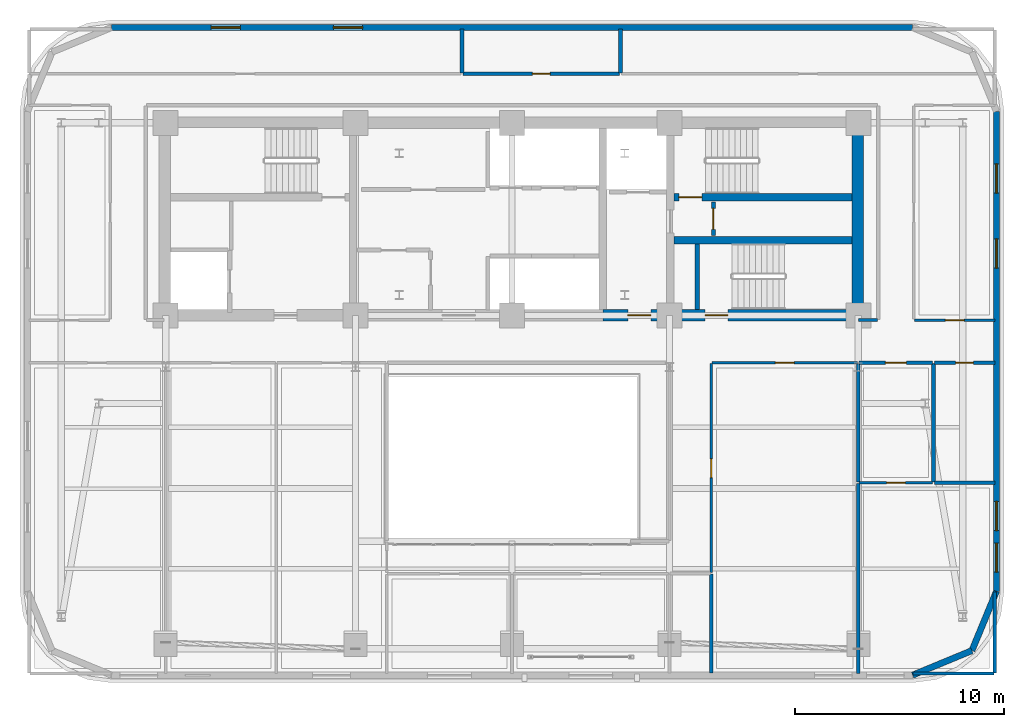
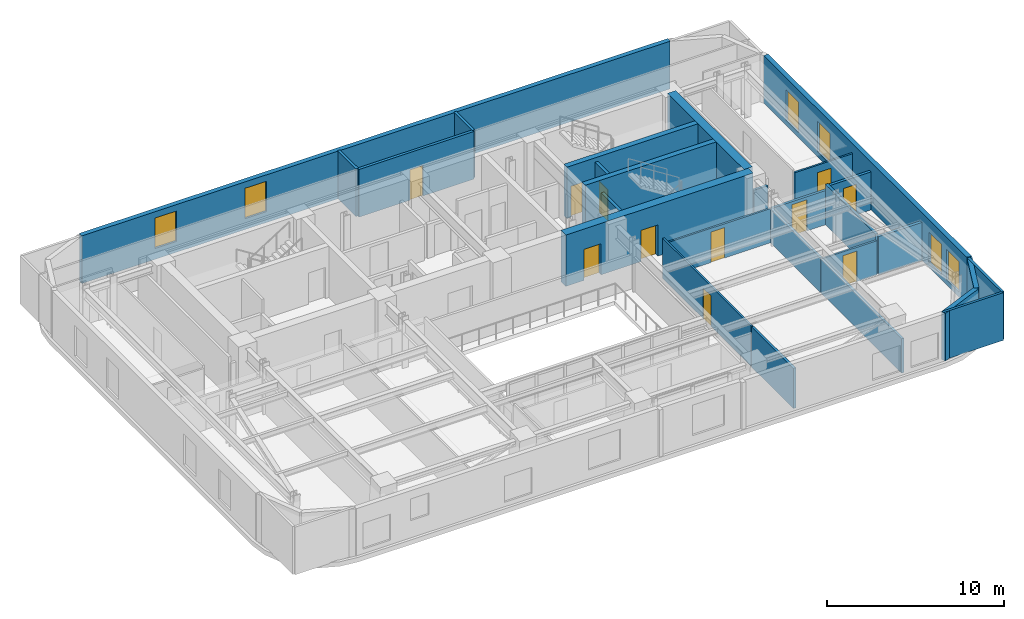
# One storey, part 8 of 12: 27 walls, 11 doors, 6 windows, 17 openings.
"""IFC4 building model written with IfcOpenShell, lengths in metres."""

from ifc_helpers import new_model, si_unit, direction, frame, frame_2d, origin, place, context, subcontext, project, spatial, rectangle, extrude, material, layer, layer_set, type_object, element, fill, save


model = new_model("IFC4")

# Units and contexts
model_context = context("Model", 3, precision=1e-05, world=origin(), true_north=direction((0.0, 1.0)))
body_context = subcontext(model_context, "Body", "Model", "MODEL_VIEW")
ifc_project = project(units=[si_unit("LENGTHUNIT", "METRE"), si_unit("AREAUNIT", "SQUARE_METRE"), si_unit("VOLUMEUNIT", "CUBIC_METRE"), si_unit("PLANEANGLEUNIT", "RADIAN"), si_unit("MASSUNIT", "GRAM", prefix="KILO")], contexts=[model_context])

# Site, building, storey
site_placement = place(None, origin())
site = spatial("IfcSite", under=ifc_project, at=site_placement, CompositionType="ELEMENT")
building_placement = place(site_placement, origin())
building = spatial("IfcBuilding", under=site, at=building_placement, Name="Zarnavel Station Tower", CompositionType="ELEMENT")
storey_placement = place(building_placement, frame((0.0, 0.0, 155.449951171875)))
storey = spatial("IfcBuildingStorey", under=building, at=storey_placement, Name="L42", CompositionType="ELEMENT", Elevation=155.449951171875)

# Wall, opening, door
ifc_material_1 = material(Name="Concrete C50/60", Category="concrete")
ifc_layer_1 = layer(ifc_material_1, 0.35009765625)
ifc_layer_set_1 = layer_set([ifc_layer_1], Name="CW_350")
wall_type_1 = type_object("IfcWallType", Name="CW_350", PredefinedType="SHEAR", material=ifc_layer_set_1)
wall_1_placement = place(storey_placement, frame((45.10498046875, 33.47998046875, 0.0), z_axis=(0.0, 0.0, 1.0), x_axis=(-1.0, 0.0, 0.0)))
wall_1 = element("IfcWall", 1, at=wall_1_placement, inside=storey, type_object=wall_type_1, Name="L42 Rear Core Shear Wall DIV-H2", PredefinedType="SHEAR", context=body_context, shape_type="SweptSolid", body=[
    extrude(rectangle(XDim=8.550048828125, YDim=0.35009765625, at=frame_2d((4.27490234375, 0.0))), origin(), (0.0, 0.0, 1.0), 3.550048828125),
])
opening_1_placement = place(wall_1_placement, frame((7.205078125, 0.0, 0.0)))
opening_1 = element("IfcOpeningElement", 2, at=opening_1_placement, cuts=wall_1, Name="Opening FD01", PredefinedType="OPENING", context=body_context, shape_type="SweptSolid", body=[
    extrude(rectangle(XDim=1.10009765625, YDim=2.14990234375, at=frame_2d((0.550048828125, 1.074951171875))), frame((0.0, 0.18505859375, 0.0), z_axis=(0.0, -1.0, 0.0), x_axis=(1.0, 0.0, 0.0)), (0.0, 0.0, 1.0), 0.3701171875),
])
ifc_material_2 = material(Name="Painted Galvanised Steel and Hardwood Leaf", Category="steel")
door_type_1 = type_object("IfcDoorType", Name="ID_STAIR_1100", OperationType="NOTDEFINED", PredefinedType="DOOR", material=ifc_material_2)
door_1_placement = place(opening_1_placement, origin())
door_1 = element("IfcDoor", 3, at=door_1_placement, inside=storey, type_object=door_type_1, Name="L42 Stair ST2 Lobby Fire Door", OperationType="SINGLE_SWING_RIGHT", OverallHeight=2.14990234375, OverallWidth=1.10009765625, PredefinedType="DOOR", context=body_context, shape_type="SweptSolid", body=[
    extrude(rectangle(XDim=1.10009765625, YDim=2.14990234375, at=frame_2d((0.550048828125, 1.074951171875))), frame((0.0, 0.02490234375, 0.0), z_axis=(0.0, -1.0, 0.0), x_axis=(1.0, 0.0, 0.0)), (0.0, 0.0, 1.0), 0.050048828125),
])
fill(opening_1, door_1)

# Wall
wall_2_placement = place(storey_placement, frame((36.554931640625, 31.419921875, 0.0), z_axis=(0.0, 0.0, 1.0), x_axis=(1.0, 0.0, 0.0)))
element("IfcWall", 4, at=wall_2_placement, inside=storey, type_object=wall_type_1, Name="L42 Rear Core Shear Wall DIV-H3", PredefinedType="SHEAR", context=body_context, shape_type="SweptSolid", body=[
    extrude(rectangle(XDim=8.550048828125, YDim=0.35009765625, at=frame_2d((4.27490234375, 0.0))), origin(), (0.0, 0.0, 1.0), 3.550048828125),
])

# Wall, openings, doors
ifc_material_3 = material(Name="Concrete C50/60", Category="concrete")
ifc_layer_2 = layer(ifc_material_3, 0.550048828125)
ifc_layer_set_2 = layer_set([ifc_layer_2], Name="CW_550")
wall_type_2 = type_object("IfcWallType", Name="CW_550", PredefinedType="SHEAR", material=ifc_layer_set_2)
wall_3_placement = place(storey_placement, frame((45.3798828125, 27.820068359375, 0.0), z_axis=(0.0, 0.0, 1.0), x_axis=(-1.0, 0.0, 0.0)))
wall_3 = element("IfcWall", 5, at=wall_3_placement, inside=storey, type_object=wall_type_2, Name="L42 Rear Core Shear Wall S-E", PredefinedType="SHEAR", context=body_context, shape_type="SweptSolid", body=[
    extrude(rectangle(XDim=12.22998046875, YDim=0.550048828125, at=frame_2d((6.114990234375, 0.0))), origin(), (0.0, 0.0, 1.0), 3.550048828125),
])
opening_2_placement = place(wall_3_placement, frame((9.929931640625, 0.0, 0.0)))
opening_2 = element("IfcOpeningElement", 6, at=opening_2_placement, cuts=wall_3, Name="Opening FD01", PredefinedType="OPENING", context=body_context, shape_type="SweptSolid", body=[
    extrude(rectangle(XDim=1.10009765625, YDim=2.14990234375, at=frame_2d((0.550048828125, 1.074951171875))), frame((0.0, 0.284912109375, 0.0), z_axis=(0.0, -1.0, 0.0), x_axis=(1.0, 0.0, 0.0)), (0.0, 0.0, 1.0), 0.570068359375),
])
opening_3_placement = place(wall_3_placement, frame((6.22998046875, 0.0, 0.0)))
opening_3 = element("IfcOpeningElement", 7, at=opening_3_placement, cuts=wall_3, Name="Opening FD01", PredefinedType="OPENING", context=body_context, shape_type="SweptSolid", body=[
    extrude(rectangle(XDim=1.10009765625, YDim=2.14990234375, at=frame_2d((0.550048828125, 1.074951171875))), frame((0.0, 0.284912109375, 0.0), z_axis=(0.0, -1.0, 0.0), x_axis=(1.0, 0.0, 0.0)), (0.0, 0.0, 1.0), 0.570068359375),
])
door_2_placement = place(opening_2_placement, origin())
door_2 = element("IfcDoor", 8, at=door_2_placement, inside=storey, type_object=door_type_1, Name="L42 East Firefighting Lobby Door", OperationType="SINGLE_SWING_LEFT", OverallHeight=2.14990234375, OverallWidth=1.10009765625, PredefinedType="DOOR", context=body_context, shape_type="SweptSolid", body=[
    extrude(rectangle(XDim=1.10009765625, YDim=2.14990234375, at=frame_2d((0.550048828125, 1.074951171875))), frame((0.0, 0.02490234375, 0.0), z_axis=(0.0, -1.0, 0.0), x_axis=(1.0, 0.0, 0.0)), (0.0, 0.0, 1.0), 0.050048828125),
])
fill(opening_2, door_2)
door_3_placement = place(opening_3_placement, origin())
door_3 = element("IfcDoor", 9, at=door_3_placement, inside=storey, type_object=door_type_1, Name="L42 Stair ST3 Corridor Fire Door", OperationType="SINGLE_SWING_RIGHT", OverallHeight=2.14990234375, OverallWidth=1.10009765625, PredefinedType="DOOR", context=body_context, shape_type="SweptSolid", body=[
    extrude(rectangle(XDim=1.10009765625, YDim=2.14990234375, at=frame_2d((0.550048828125, 1.074951171875))), frame((0.0, 0.02490234375, 0.0), z_axis=(0.0, -1.0, 0.0), x_axis=(1.0, 0.0, 0.0)), (0.0, 0.0, 1.0), 0.050048828125),
])
fill(opening_3, door_3)

# Walls
wall_4_placement = place(storey_placement, frame((45.3798828125, 28.094970703125, 0.0), z_axis=(0.0, 0.0, 1.0), x_axis=(0.0, 1.0, 0.0)))
element("IfcWall", 10, at=wall_4_placement, inside=storey, type_object=wall_type_2, Name="L42 Rear Core Shear Wall E", PredefinedType="SHEAR", context=body_context, shape_type="SweptSolid", body=[
    extrude(rectangle(XDim=8.679931640625, YDim=0.550048828125, at=frame_2d((4.33984375, 0.0))), origin(), (0.0, 0.0, 1.0), 3.550048828125),
])
ifc_material_4 = material(Name="Precast concrete C45/55 (Dark Basalt Finish)", Category="masonry")
ifc_layer_3 = layer(ifc_material_4, 0.300048828125)
ifc_layer_set_3 = layer_set([ifc_layer_3], Name="EW_BASALT_300")
wall_type_3 = type_object("IfcWallType", Name="EW_BASALT_300", PredefinedType="SOLIDWALL", material=ifc_layer_set_3)
wall_5_placement = place(storey_placement, frame((50.842529296875, 11.75732421875, 0.0), z_axis=(0.0, 0.0, 1.0), x_axis=(-0.92389884758, -0.382636798336, 0.0)))
element("IfcWall", 11, at=wall_5_placement, inside=storey, type_object=wall_type_3, Name="L42 Exterior Basalt Masonry Frame Wall 01", PredefinedType="SOLIDWALL", context=body_context, shape_type="SweptSolid", body=[
    extrude(rectangle(XDim=3.07666015625, YDim=0.300048828125, at=frame_2d((1.538330078125, 0.0))), origin(), (0.0, 0.0, 1.0), 3.2900390625),
])
wall_6_placement = place(storey_placement, frame((52.02001953125, 14.60009765625, 0.0), z_axis=(0.0, 0.0, 1.0), x_axis=(-0.382676475685, -0.923882414032, 0.0)))
element("IfcWall", 12, at=wall_6_placement, inside=storey, type_object=wall_type_3, Name="L42 Exterior Basalt Masonry Frame Wall 02", PredefinedType="SOLIDWALL", context=body_context, shape_type="SweptSolid", body=[
    extrude(rectangle(XDim=3.076904296875, YDim=0.300048828125, at=frame_2d((1.53857421875, 0.0))), origin(), (0.0, 0.0, 1.0), 3.2900390625),
])

# Wall, openings, windows
wall_7_placement = place(storey_placement, frame((52.02001953125, 37.60009765625, 0.0), z_axis=(0.0, 0.0, 1.0), x_axis=(0.0, -1.0, 0.0)))
wall_7 = element("IfcWall", 13, at=wall_7_placement, inside=storey, type_object=wall_type_3, Name="L42 Exterior Basalt Masonry Frame Wall 03", PredefinedType="SOLIDWALL", context=body_context, shape_type="SweptSolid", body=[
    extrude(rectangle(XDim=23.0, YDim=0.300048828125, at=frame_2d((11.5, 0.0))), origin(), (0.0, 0.0, 1.0), 3.2900390625),
])
opening_4_placement = place(wall_7_placement, frame((2.51318359375, 0.0, 0.340087890625)))
opening_4 = element("IfcOpeningElement", 14, at=opening_4_placement, cuts=wall_7, Name="Opening WN04", PredefinedType="OPENING", context=body_context, shape_type="SweptSolid", body=[
    extrude(rectangle(XDim=1.39990234375, YDim=2.10009765625, at=frame_2d((0.699951171875, 1.050048828125))), frame((0.0, 0.159912109375, 0.0), z_axis=(0.0, -1.0, 0.0), x_axis=(1.0, 0.0, 0.0)), (0.0, 0.0, 1.0), 0.320068359375),
])
opening_5_placement = place(wall_7_placement, frame((6.106689453125, 0.0, 0.340087890625)))
opening_5 = element("IfcOpeningElement", 15, at=opening_5_placement, cuts=wall_7, Name="Opening WN04", PredefinedType="OPENING", context=body_context, shape_type="SweptSolid", body=[
    extrude(rectangle(XDim=1.39990234375, YDim=2.10009765625, at=frame_2d((0.699951171875, 1.050048828125))), frame((0.0, 0.159912109375, 0.0), z_axis=(0.0, -1.0, 0.0), x_axis=(1.0, 0.0, 0.0)), (0.0, 0.0, 1.0), 0.320068359375),
])
opening_6_placement = place(wall_7_placement, frame((18.693359375, 0.0, 0.340087890625)))
opening_6 = element("IfcOpeningElement", 16, at=opening_6_placement, cuts=wall_7, Name="Opening WN04", PredefinedType="OPENING", context=body_context, shape_type="SweptSolid", body=[
    extrude(rectangle(XDim=1.39990234375, YDim=2.10009765625, at=frame_2d((0.699951171875, 1.050048828125))), frame((0.0, 0.159912109375, 0.0), z_axis=(0.0, -1.0, 0.0), x_axis=(1.0, 0.0, 0.0)), (0.0, 0.0, 1.0), 0.320068359375),
])
opening_7_placement = place(wall_7_placement, frame((20.686767578125, 0.0, 0.340087890625)))
opening_7 = element("IfcOpeningElement", 17, at=opening_7_placement, cuts=wall_7, Name="Opening WN04", PredefinedType="OPENING", context=body_context, shape_type="SweptSolid", body=[
    extrude(rectangle(XDim=1.39990234375, YDim=2.10009765625, at=frame_2d((0.699951171875, 1.050048828125))), frame((0.0, 0.159912109375, 0.0), z_axis=(0.0, -1.0, 0.0), x_axis=(1.0, 0.0, 0.0)), (0.0, 0.0, 1.0), 0.320068359375),
])
ifc_material_5 = material(Name="Thermally Broken Black Aluminium and Low-E Dark Glass", Category="aluminium")
window_type = type_object("IfcWindowType", Name="WN_1400x2100", PartitioningType="DOUBLE_PANEL_VERTICAL", PredefinedType="WINDOW", material=ifc_material_5)
window_1_placement = place(opening_4_placement, origin())
window_1 = element("IfcWindow", 18, at=window_1_placement, inside=storey, type_object=window_type, Name="L42 Recessed Facade Window 01", OverallHeight=2.10009765625, OverallWidth=1.39990234375, PartitioningType="SINGLE_PANEL", PredefinedType="WINDOW", context=body_context, shape_type="SweptSolid", body=[
    extrude(rectangle(XDim=1.39990234375, YDim=2.10009765625, at=frame_2d((0.699951171875, 1.050048828125))), frame((0.0, 0.030029296875, 0.0), z_axis=(0.0, -1.0, 0.0), x_axis=(1.0, 0.0, 0.0)), (0.0, 0.0, 1.0), 0.06005859375),
])
fill(opening_4, window_1)
window_2_placement = place(opening_5_placement, origin())
window_2 = element("IfcWindow", 19, at=window_2_placement, inside=storey, type_object=window_type, Name="L42 Recessed Facade Window 02", OverallHeight=2.10009765625, OverallWidth=1.39990234375, PartitioningType="SINGLE_PANEL", PredefinedType="WINDOW", context=body_context, shape_type="SweptSolid", body=[
    extrude(rectangle(XDim=1.39990234375, YDim=2.10009765625, at=frame_2d((0.699951171875, 1.050048828125))), frame((0.0, 0.030029296875, 0.0), z_axis=(0.0, -1.0, 0.0), x_axis=(1.0, 0.0, 0.0)), (0.0, 0.0, 1.0), 0.06005859375),
])
fill(opening_5, window_2)
window_3_placement = place(opening_6_placement, origin())
window_3 = element("IfcWindow", 20, at=window_3_placement, inside=storey, type_object=window_type, Name="L42 Recessed Facade Window 03", OverallHeight=2.10009765625, OverallWidth=1.39990234375, PartitioningType="SINGLE_PANEL", PredefinedType="WINDOW", context=body_context, shape_type="SweptSolid", body=[
    extrude(rectangle(XDim=1.39990234375, YDim=2.10009765625, at=frame_2d((0.699951171875, 1.050048828125))), frame((0.0, 0.030029296875, 0.0), z_axis=(0.0, -1.0, 0.0), x_axis=(1.0, 0.0, 0.0)), (0.0, 0.0, 1.0), 0.06005859375),
])
fill(opening_6, window_3)
window_4_placement = place(opening_7_placement, origin())
window_4 = element("IfcWindow", 21, at=window_4_placement, inside=storey, type_object=window_type, Name="L42 Recessed Facade Window 04", OverallHeight=2.10009765625, OverallWidth=1.39990234375, PartitioningType="SINGLE_PANEL", PredefinedType="WINDOW", context=body_context, shape_type="SweptSolid", body=[
    extrude(rectangle(XDim=1.39990234375, YDim=2.10009765625, at=frame_2d((0.699951171875, 1.050048828125))), frame((0.0, 0.030029296875, 0.0), z_axis=(0.0, -1.0, 0.0), x_axis=(1.0, 0.0, 0.0)), (0.0, 0.0, 1.0), 0.06005859375),
])
fill(opening_7, window_4)

wall_8_placement = place(storey_placement, frame((9.60009765625, 41.6201171875, 0.0), z_axis=(0.0, 0.0, 1.0), x_axis=(1.0, 0.0, 0.0)))
wall_8 = element("IfcWall", 22, at=wall_8_placement, inside=storey, type_object=wall_type_3, Name="L42 Exterior Basalt Masonry Frame Wall 06", PredefinedType="SOLIDWALL", context=body_context, shape_type="SweptSolid", body=[
    extrude(rectangle(XDim=38.39990234375, YDim=0.300048828125, at=frame_2d((19.199951171875, 0.0))), origin(), (0.0, 0.0, 1.0), 3.2900390625),
])
opening_8_placement = place(wall_8_placement, frame((4.780029296875, 0.0, 0.75)))
opening_8 = element("IfcOpeningElement", 23, at=opening_8_placement, cuts=wall_8, Name="Opening WN04", PredefinedType="OPENING", context=body_context, shape_type="SweptSolid", body=[
    extrude(rectangle(XDim=1.39990234375, YDim=2.10009765625, at=frame_2d((0.699951171875, 1.050048828125))), frame((0.0, 0.159912109375, 0.0), z_axis=(0.0, -1.0, 0.0), x_axis=(1.0, 0.0, 0.0)), (0.0, 0.0, 1.0), 0.320068359375),
])
opening_9_placement = place(wall_8_placement, frame((10.639892578125, 0.0, 0.75)))
opening_9 = element("IfcOpeningElement", 24, at=opening_9_placement, cuts=wall_8, Name="Opening WN04", PredefinedType="OPENING", context=body_context, shape_type="SweptSolid", body=[
    extrude(rectangle(XDim=1.39990234375, YDim=2.10009765625, at=frame_2d((0.699951171875, 1.050048828125))), frame((0.0, 0.159912109375, 0.0), z_axis=(0.0, -1.0, 0.0), x_axis=(1.0, 0.0, 0.0)), (0.0, 0.0, 1.0), 0.320068359375),
])
window_5_placement = place(opening_8_placement, origin())
window_5 = element("IfcWindow", 25, at=window_5_placement, inside=storey, type_object=window_type, Name="L42 Recessed Facade Window 01", OverallHeight=2.10009765625, OverallWidth=1.39990234375, PartitioningType="SINGLE_PANEL", PredefinedType="WINDOW", context=body_context, shape_type="SweptSolid", body=[
    extrude(rectangle(XDim=1.39990234375, YDim=2.10009765625, at=frame_2d((0.699951171875, 1.050048828125))), frame((0.0, 0.030029296875, 0.0), z_axis=(0.0, -1.0, 0.0), x_axis=(1.0, 0.0, 0.0)), (0.0, 0.0, 1.0), 0.06005859375),
])
fill(opening_8, window_5)
window_6_placement = place(opening_9_placement, origin())
window_6 = element("IfcWindow", 26, at=window_6_placement, inside=storey, type_object=window_type, Name="L42 Recessed Facade Window 02", OverallHeight=2.10009765625, OverallWidth=1.39990234375, PartitioningType="SINGLE_PANEL", PredefinedType="WINDOW", context=body_context, shape_type="SweptSolid", body=[
    extrude(rectangle(XDim=1.39990234375, YDim=2.10009765625, at=frame_2d((0.699951171875, 1.050048828125))), frame((0.0, 0.030029296875, 0.0), z_axis=(0.0, -1.0, 0.0), x_axis=(1.0, 0.0, 0.0)), (0.0, 0.0, 1.0), 0.06005859375),
])
fill(opening_9, window_6)

# Wall, opening, door
ifc_material_6 = material(Name="Gypsum Twin-Stud Acoustic Fire Partition", Category="concrete")
ifc_layer_4 = layer(ifc_material_6, 0.159912109375)
ifc_layer_set_4 = layer_set([ifc_layer_4], Name="PT_DEMISE_160")
wall_type_4 = type_object("IfcWallType", Name="PT_DEMISE_160", PredefinedType="PARTITIONING", material=ifc_layer_set_4)
wall_9_placement = place(storey_placement, frame((45.43994140625, 25.550048828125, 0.0), z_axis=(0.0, 0.0, 1.0), x_axis=(1.0, 0.0, 0.0)))
wall_9 = element("IfcWall", 27, at=wall_9_placement, inside=storey, type_object=wall_type_4, Name="L42 Partition COR-S-L41LNG", PredefinedType="PARTITIONING", context=body_context, shape_type="SweptSolid", body=[
    extrude(rectangle(XDim=3.52001953125, YDim=0.159912109375, at=frame_2d((1.760009765625, 0.0))), origin(), (0.0, 0.0, 1.0), 2.360107421875),
])
opening_10_placement = place(wall_9_placement, frame((1.260009765625, 0.0, 0.0)))
opening_10 = element("IfcOpeningElement", 28, at=opening_10_placement, cuts=wall_9, Name="Opening FD02", PredefinedType="OPENING", context=body_context, shape_type="SweptSolid", body=[
    extrude(rectangle(XDim=1.0, YDim=2.14990234375, at=frame_2d((0.5, 1.074951171875))), frame((0.0, 0.08984375, 0.0), z_axis=(0.0, -1.0, 0.0), x_axis=(1.0, 0.0, 0.0)), (0.0, 0.0, 1.0), 0.179931640625),
])
ifc_material_7 = material(Name="Painted Galvanised Steel and Hardwood Leaf", Category="steel")
door_type_2 = type_object("IfcDoorType", Name="ID_ENTRY_1000", OperationType="NOTDEFINED", PredefinedType="DOOR", material=ifc_material_7)
door_4_placement = place(opening_10_placement, origin())
door_4 = element("IfcDoor", 29, at=door_4_placement, inside=storey, type_object=door_type_2, Name="L42 Door COR-S-L41LNG", OperationType="SINGLE_SWING_RIGHT", OverallHeight=2.14990234375, OverallWidth=1.0, PredefinedType="DOOR", context=body_context, shape_type="SweptSolid", body=[
    extrude(rectangle(XDim=1.0, YDim=2.14990234375, at=frame_2d((0.5, 1.074951171875))), frame((0.0, 0.02490234375, 0.0), z_axis=(0.0, -1.0, 0.0), x_axis=(1.0, 0.0, 0.0)), (0.0, 0.0, 1.0), 0.050048828125),
])
fill(opening_10, door_4)

# Walls
wall_10_placement = place(storey_placement, frame((45.39990234375, 10.659912109375, 0.0), z_axis=(0.0, 0.0, 1.0), x_axis=(0.0, 1.0, 0.0)))
element("IfcWall", 30, at=wall_10_placement, inside=storey, type_object=wall_type_4, Name="L42 Partition L41CIN-L41GYM", PredefinedType="PARTITIONING", context=body_context, shape_type="SweptSolid", body=[
    extrude(rectangle(XDim=9.10009765625, YDim=0.159912109375, at=frame_2d((4.550048828125, 0.0))), origin(), (0.0, 0.0, 1.0), 2.360107421875),
])
wall_11_placement = place(storey_placement, frame((45.39990234375, 19.840087890625, 0.0), z_axis=(0.0, 0.0, 1.0), x_axis=(0.0, 1.0, 0.0)))
element("IfcWall", 31, at=wall_11_placement, inside=storey, type_object=wall_type_4, Name="L42 Partition L41CIN-L41LNG", PredefinedType="PARTITIONING", context=body_context, shape_type="SweptSolid", body=[
    extrude(rectangle(XDim=5.669921875, YDim=0.159912109375, at=frame_2d((2.8349609375, 0.0))), origin(), (0.0, 0.0, 1.0), 2.360107421875),
])
wall_12_placement = place(storey_placement, frame((45.409912109375, 27.60009765625, 0.0), z_axis=(0.0, 0.0, 1.0), x_axis=(1.0, 0.0, 0.0)))
element("IfcWall", 32, at=wall_12_placement, inside=storey, type_object=wall_type_4, Name="L42 Enclosure Wall COR-S", PredefinedType="PARTITIONING", context=body_context, shape_type="SweptSolid", body=[
    extrude(rectangle(XDim=0.91015625, YDim=0.159912109375, at=frame_2d((0.455078125, 0.0))), origin(), (0.0, 0.0, 1.0), 2.360107421875),
])
wall_13_placement = place(storey_placement, frame((38.35009765625, 10.68994140625, 0.0), z_axis=(0.0, 0.0, 1.0), x_axis=(0.0, 1.0, 0.0)))
element("IfcWall", 33, at=wall_13_placement, inside=storey, type_object=wall_type_4, Name="L42 Enclosure Wall L41CIN", PredefinedType="PARTITIONING", context=body_context, shape_type="SweptSolid", body=[
    extrude(rectangle(XDim=4.72998046875, YDim=0.159912109375, at=frame_2d((2.364990234375, 0.0))), origin(), (0.0, 0.0, 1.0), 2.77001953125),
])
wall_14_placement = place(storey_placement, frame((48.030029296875, 10.659912109375, 0.0), z_axis=(0.0, 0.0, 1.0), x_axis=(1.0, 0.0, 0.0)))
element("IfcWall", 34, at=wall_14_placement, inside=storey, type_object=wall_type_4, Name="L42 Enclosure Wall L41GYM", PredefinedType="PARTITIONING", context=body_context, shape_type="SweptSolid", body=[
    extrude(rectangle(XDim=3.8798828125, YDim=0.159912109375, at=frame_2d((1.93994140625, 0.0))), origin(), (0.0, 0.0, 1.0), 3.2900390625),
])
wall_15_placement = place(storey_placement, frame((51.93994140625, 10.68994140625, 0.0), z_axis=(0.0, 0.0, 1.0), x_axis=(0.0, 1.0, 0.0)))
element("IfcWall", 35, at=wall_15_placement, inside=storey, type_object=wall_type_4, Name="L42 Enclosure Wall L41GYM", PredefinedType="PARTITIONING", context=body_context, shape_type="SweptSolid", body=[
    extrude(rectangle(XDim=3.880126953125, YDim=0.159912109375, at=frame_2d((1.93994140625, 0.0))), origin(), (0.0, 0.0, 1.0), 3.2900390625),
])

# Wall, opening, door
ifc_material_8 = material(Name="Gypsum Metal-Stud Interior Partition", Category="concrete")
ifc_layer_5 = layer(ifc_material_8, 0.1201171875)
ifc_layer_set_5 = layer_set([ifc_layer_5], Name="PT_ROOM_120")
wall_type_5 = type_object("IfcWallType", Name="PT_ROOM_120", PredefinedType="PARTITIONING", material=ifc_layer_set_5)
wall_16_placement = place(storey_placement, frame((48.090087890625, 27.60009765625, 0.0), z_axis=(0.0, 0.0, 1.0), x_axis=(1.0, 0.0, 0.0)))
wall_16 = element("IfcWall", 36, at=wall_16_placement, inside=storey, type_object=wall_type_5, Name="L42 Partition COR-S-FNE", PredefinedType="PARTITIONING", context=body_context, shape_type="SweptSolid", body=[
    extrude(rectangle(XDim=3.849853515625, YDim=0.1201171875, at=frame_2d((1.9248046875, 0.0))), origin(), (0.0, 0.0, 1.0), 2.6201171875),
])
opening_11_placement = place(wall_16_placement, frame((1.47509765625, 0.0, 0.0)))
opening_11 = element("IfcOpeningElement", 37, at=opening_11_placement, cuts=wall_16, Name="Opening ID01", PredefinedType="OPENING", context=body_context, shape_type="SweptSolid", body=[
    extrude(rectangle(XDim=0.89990234375, YDim=2.10009765625, at=frame_2d((0.449951171875, 1.050048828125))), frame((0.0, 0.070068359375, 0.0), z_axis=(0.0, -1.0, 0.0), x_axis=(1.0, 0.0, 0.0)), (0.0, 0.0, 1.0), 0.14013671875),
])
ifc_material_9 = material(Name="Painted Galvanised Steel and Hardwood Leaf", Category="steel")
door_type_3 = type_object("IfcDoorType", Name="ID_ROOM_900", OperationType="NOTDEFINED", PredefinedType="DOOR", material=ifc_material_9)
door_5_placement = place(opening_11_placement, origin())
door_5 = element("IfcDoor", 38, at=door_5_placement, inside=storey, type_object=door_type_3, Name="L42 Door COR-S-FNE", OperationType="SINGLE_SWING_LEFT", OverallHeight=2.10009765625, OverallWidth=0.89990234375, PredefinedType="DOOR", context=body_context, shape_type="SweptSolid", body=[
    extrude(rectangle(XDim=0.89990234375, YDim=2.10009765625, at=frame_2d((0.449951171875, 1.050048828125))), frame((0.0, 0.02490234375, 0.0), z_axis=(0.0, -1.0, 0.0), x_axis=(1.0, 0.0, 0.0)), (0.0, 0.0, 1.0), 0.050048828125),
])
fill(opening_11, door_5)

wall_17_placement = place(storey_placement, frame((38.389892578125, 25.550048828125, 0.0), z_axis=(0.0, 0.0, 1.0), x_axis=(1.0, 0.0, 0.0)))
wall_17 = element("IfcWall", 39, at=wall_17_placement, inside=storey, type_object=wall_type_5, Name="L42 Partition COR-S-L41CIN", PredefinedType="PARTITIONING", context=body_context, shape_type="SweptSolid", body=[
    extrude(rectangle(XDim=6.97021484375, YDim=0.1201171875, at=frame_2d((3.485107421875, 0.0))), origin(), (0.0, 0.0, 1.0), 2.360107421875),
])
opening_12_placement = place(wall_17_placement, frame((3.034912109375, 0.0, 0.0)))
opening_12 = element("IfcOpeningElement", 40, at=opening_12_placement, cuts=wall_17, Name="Opening ID01", PredefinedType="OPENING", context=body_context, shape_type="SweptSolid", body=[
    extrude(rectangle(XDim=0.89990234375, YDim=2.10009765625, at=frame_2d((0.449951171875, 1.050048828125))), frame((0.0, 0.070068359375, 0.0), z_axis=(0.0, -1.0, 0.0), x_axis=(1.0, 0.0, 0.0)), (0.0, 0.0, 1.0), 0.14013671875),
])
door_6_placement = place(opening_12_placement, origin())
door_6 = element("IfcDoor", 41, at=door_6_placement, inside=storey, type_object=door_type_3, Name="L42 Door COR-S-L41CIN", OperationType="SINGLE_SWING_LEFT", OverallHeight=2.10009765625, OverallWidth=0.89990234375, PredefinedType="DOOR", context=body_context, shape_type="SweptSolid", body=[
    extrude(rectangle(XDim=0.89990234375, YDim=2.10009765625, at=frame_2d((0.449951171875, 1.050048828125))), frame((0.0, 0.02490234375, 0.0), z_axis=(0.0, -1.0, 0.0), x_axis=(1.0, 0.0, 0.0)), (0.0, 0.0, 1.0), 0.050048828125),
])
fill(opening_12, door_6)

wall_18_placement = place(storey_placement, frame((38.35009765625, 15.489990234375, 0.0), z_axis=(0.0, 0.0, 1.0), x_axis=(0.0, 1.0, 0.0)))
wall_18 = element("IfcWall", 42, at=wall_18_placement, inside=storey, type_object=wall_type_5, Name="L42 Partition COR-AE-L41CIN", PredefinedType="PARTITIONING", context=body_context, shape_type="SweptSolid", body=[
    extrude(rectangle(XDim=10.02001953125, YDim=0.1201171875, at=frame_2d((5.010009765625, 0.0))), origin(), (0.0, 0.0, 1.0), 2.77001953125),
])
opening_13_placement = place(wall_18_placement, frame((4.56005859375, 0.0, 0.0)))
opening_13 = element("IfcOpeningElement", 43, at=opening_13_placement, cuts=wall_18, Name="Opening ID01", PredefinedType="OPENING", context=body_context, shape_type="SweptSolid", body=[
    extrude(rectangle(XDim=0.89990234375, YDim=2.10009765625, at=frame_2d((0.449951171875, 1.050048828125))), frame((0.0, 0.070068359375, 0.0), z_axis=(0.0, -1.0, 0.0), x_axis=(1.0, 0.0, 0.0)), (0.0, 0.0, 1.0), 0.14013671875),
])
door_7_placement = place(opening_13_placement, origin())
door_7 = element("IfcDoor", 44, at=door_7_placement, inside=storey, type_object=door_type_3, Name="L42 Door COR-AE-L41CIN", OperationType="SINGLE_SWING_LEFT", OverallHeight=2.10009765625, OverallWidth=0.89990234375, PredefinedType="DOOR", context=body_context, shape_type="SweptSolid", body=[
    extrude(rectangle(XDim=0.89990234375, YDim=2.10009765625, at=frame_2d((0.449951171875, 1.050048828125))), frame((0.0, 0.02490234375, 0.0), z_axis=(0.0, -1.0, 0.0), x_axis=(1.0, 0.0, 0.0)), (0.0, 0.0, 1.0), 0.050048828125),
])
fill(opening_13, door_7)

wall_19_placement = place(storey_placement, frame((45.43994140625, 19.800048828125, 0.0), z_axis=(0.0, 0.0, 1.0), x_axis=(1.0, 0.0, 0.0)))
wall_19 = element("IfcWall", 45, at=wall_19_placement, inside=storey, type_object=wall_type_5, Name="L42 Partition L41GYM-L41LNG", PredefinedType="PARTITIONING", context=body_context, shape_type="SweptSolid", body=[
    extrude(rectangle(XDim=3.52001953125, YDim=0.1201171875, at=frame_2d((1.760009765625, 0.0))), origin(), (0.0, 0.0, 1.0), 2.360107421875),
])
opening_14_placement = place(wall_19_placement, frame((1.31005859375, 0.0, 0.0)))
opening_14 = element("IfcOpeningElement", 46, at=opening_14_placement, cuts=wall_19, Name="Opening ID01", PredefinedType="OPENING", context=body_context, shape_type="SweptSolid", body=[
    extrude(rectangle(XDim=0.89990234375, YDim=2.10009765625, at=frame_2d((0.449951171875, 1.050048828125))), frame((0.0, 0.070068359375, 0.0), z_axis=(0.0, -1.0, 0.0), x_axis=(1.0, 0.0, 0.0)), (0.0, 0.0, 1.0), 0.14013671875),
])
door_8_placement = place(opening_14_placement, origin())
door_8 = element("IfcDoor", 47, at=door_8_placement, inside=storey, type_object=door_type_3, Name="L42 Door L41GYM-L41LNG", OperationType="SINGLE_SWING_LEFT", OverallHeight=2.10009765625, OverallWidth=0.89990234375, PredefinedType="DOOR", context=body_context, shape_type="SweptSolid", body=[
    extrude(rectangle(XDim=0.89990234375, YDim=2.10009765625, at=frame_2d((0.449951171875, 1.050048828125))), frame((0.0, 0.02490234375, 0.0), z_axis=(0.0, -1.0, 0.0), x_axis=(1.0, 0.0, 0.0)), (0.0, 0.0, 1.0), 0.050048828125),
])
fill(opening_14, door_8)

# Wall
ifc_material_10 = material(Name="Precast concrete C45/55 (Fire Shaft Blockwork)", Category="masonry")
ifc_layer_6 = layer(ifc_material_10, 0.199951171875)
ifc_layer_set_6 = layer_set([ifc_layer_6], Name="PT_SHAFT_200")
wall_type_6 = type_object("IfcWallType", Name="PT_SHAFT_200", PredefinedType="PARTITIONING", material=ifc_layer_set_6)
wall_20_placement = place(storey_placement, frame((37.679931640625, 28.094970703125, 0.0), z_axis=(0.0, 0.0, 1.0), x_axis=(0.0, 1.0, 0.0)))
element("IfcWall", 48, at=wall_20_placement, inside=storey, type_object=wall_type_6, Name="L42 Stair ST3 West Shaft Wall", PredefinedType="PARTITIONING", context=body_context, shape_type="SweptSolid", body=[
    extrude(rectangle(XDim=3.155029296875, YDim=0.199951171875, at=frame_2d((1.57763671875, 0.0))), origin(), (0.0, 0.0, 1.0), 2.670166015625),
])

# Wall, opening, door
wall_21_placement = place(storey_placement, frame((38.449951171875, 31.639892578125, 0.0), z_axis=(0.0, 0.0, 1.0), x_axis=(0.0, 1.0, 0.0)))
wall_21 = element("IfcWall", 49, at=wall_21_placement, inside=storey, type_object=wall_type_6, Name="L42 Partition ESTV-CEA", PredefinedType="PARTITIONING", context=body_context, shape_type="SweptSolid", body=[
    extrude(rectangle(XDim=1.6201171875, YDim=0.199951171875, at=frame_2d((0.81005859375, 0.0))), origin(), (0.0, 0.0, 1.0), 3.2900390625),
])
opening_15_placement = place(wall_21_placement, frame((0.31005859375, 0.0, 0.0)))
opening_15 = element("IfcOpeningElement", 50, at=opening_15_placement, cuts=wall_21, Name="Opening FD02", PredefinedType="OPENING", context=body_context, shape_type="SweptSolid", body=[
    extrude(rectangle(XDim=1.0, YDim=2.14990234375, at=frame_2d((0.5, 1.074951171875))), frame((0.0, 0.10986328125, 0.0), z_axis=(0.0, -1.0, 0.0), x_axis=(1.0, 0.0, 0.0)), (0.0, 0.0, 1.0), 0.219970703125),
])
door_9_placement = place(opening_15_placement, origin())
door_9 = element("IfcDoor", 51, at=door_9_placement, inside=storey, type_object=door_type_2, Name="L42 Door ESTV-CEA", OperationType="SINGLE_SWING_RIGHT", OverallHeight=2.14990234375, OverallWidth=1.0, PredefinedType="DOOR", context=body_context, shape_type="SweptSolid", body=[
    extrude(rectangle(XDim=1.0, YDim=2.14990234375, at=frame_2d((0.5, 1.074951171875))), frame((0.0, 0.02490234375, 0.0), z_axis=(0.0, -1.0, 0.0), x_axis=(1.0, 0.0, 0.0)), (0.0, 0.0, 1.0), 0.050048828125),
])
fill(opening_15, door_9)

ifc_material_11 = material(Name="Moisture-Resistant Plumbing Chase Wall", Category="concrete")
ifc_layer_7 = layer(ifc_material_11, 0.179931640625)
ifc_layer_set_7 = layer_set([ifc_layer_7], Name="PW_PLUMB_180")
wall_type_7 = type_object("IfcWallType", Name="PW_PLUMB_180", PredefinedType="PLUMBINGWALL", material=ifc_layer_set_7)
wall_22_placement = place(storey_placement, frame((49.0400390625, 25.550048828125, 0.0), z_axis=(0.0, 0.0, 1.0), x_axis=(1.0, 0.0, 0.0)))
wall_22 = element("IfcWall", 52, at=wall_22_placement, inside=storey, type_object=wall_type_7, Name="L42 Partition COR-S-L41WCA", PredefinedType="PLUMBINGWALL", context=body_context, shape_type="SweptSolid", body=[
    extrude(rectangle(XDim=2.89990234375, YDim=0.179931640625, at=frame_2d((1.449951171875, 0.0))), origin(), (0.0, 0.0, 1.0), 2.6201171875),
])
opening_16_placement = place(wall_22_placement, frame((1.02490234375, 0.0, 0.0)))
opening_16 = element("IfcOpeningElement", 53, at=opening_16_placement, cuts=wall_22, Name="Opening ID02", PredefinedType="OPENING", context=body_context, shape_type="SweptSolid", body=[
    extrude(rectangle(XDim=0.85009765625, YDim=2.10009765625, at=frame_2d((0.425048828125, 1.050048828125))), frame((0.0, 0.099853515625, 0.0), z_axis=(0.0, -1.0, 0.0), x_axis=(1.0, 0.0, 0.0)), (0.0, 0.0, 1.0), 0.199951171875),
])
ifc_material_12 = material(Name="Painted Galvanised Steel and Hardwood Leaf", Category="steel")
door_type_4 = type_object("IfcDoorType", Name="ID_BATH_850", OperationType="NOTDEFINED", PredefinedType="DOOR", material=ifc_material_12)
door_10_placement = place(opening_16_placement, origin())
door_10 = element("IfcDoor", 54, at=door_10_placement, inside=storey, type_object=door_type_4, Name="L42 Door COR-S-L41WCA", OperationType="SINGLE_SWING_LEFT", OverallHeight=2.10009765625, OverallWidth=0.85009765625, PredefinedType="DOOR", context=body_context, shape_type="SweptSolid", body=[
    extrude(rectangle(XDim=0.85009765625, YDim=2.10009765625, at=frame_2d((0.425048828125, 1.050048828125))), frame((0.0, 0.02490234375, 0.0), z_axis=(0.0, -1.0, 0.0), x_axis=(1.0, 0.0, 0.0)), (0.0, 0.0, 1.0), 0.050048828125),
])
fill(opening_16, door_10)

wall_23_placement = place(storey_placement, frame((26.43994140625, 39.39990234375, 0.0), z_axis=(0.0, 0.0, 1.0), x_axis=(1.0, 0.0, 0.0)))
wall_23 = element("IfcWall", 55, at=wall_23_placement, inside=storey, type_object=wall_type_7, Name="L42 Partition COR-N-NWC", PredefinedType="PLUMBINGWALL", context=body_context, shape_type="SweptSolid", body=[
    extrude(rectangle(XDim=7.52001953125, YDim=0.179931640625, at=frame_2d((3.760009765625, 0.0))), origin(), (0.0, 0.0, 1.0), 3.2900390625),
])
opening_17_placement = place(wall_23_placement, frame((3.3349609375, 0.0, 0.0)))
opening_17 = element("IfcOpeningElement", 56, at=opening_17_placement, cuts=wall_23, Name="Opening ID02", PredefinedType="OPENING", context=body_context, shape_type="SweptSolid", body=[
    extrude(rectangle(XDim=0.85009765625, YDim=2.10009765625, at=frame_2d((0.425048828125, 1.050048828125))), frame((0.0, 0.099853515625, 0.0), z_axis=(0.0, -1.0, 0.0), x_axis=(1.0, 0.0, 0.0)), (0.0, 0.0, 1.0), 0.199951171875),
])
door_11_placement = place(opening_17_placement, origin())
door_11 = element("IfcDoor", 57, at=door_11_placement, inside=storey, type_object=door_type_4, Name="L42 Door COR-N-NWC", OperationType="SINGLE_SWING_LEFT", OverallHeight=2.10009765625, OverallWidth=0.85009765625, PredefinedType="DOOR", context=body_context, shape_type="SweptSolid", body=[
    extrude(rectangle(XDim=0.85009765625, YDim=2.10009765625, at=frame_2d((0.425048828125, 1.050048828125))), frame((0.0, 0.02490234375, 0.0), z_axis=(0.0, -1.0, 0.0), x_axis=(1.0, 0.0, 0.0)), (0.0, 0.0, 1.0), 0.050048828125),
])
fill(opening_17, door_11)

# Walls
for number, where, z_axis, x_axis, name in (
    (58, (26.39990234375, 39.43994140625, 0.0), (0.0, 0.0, 1.0), (0.0, 1.0, 0.0), "L42 Partition NSTD-NWC"),
    (59, (34.0, 39.43994140625, 0.0), (0.0, 0.0, 1.0), (0.0, 1.0, 0.0), "L42 Partition NWC-NSTR"),
):
    element("IfcWall", number, at=place(storey_placement, frame(where, z_axis=z_axis, x_axis=x_axis)), inside=storey, type_object=wall_type_7, Name=name, PredefinedType="PLUMBINGWALL", context=body_context, shape_type="SweptSolid", body=[
        extrude(rectangle(XDim=2.10009765625, YDim=0.179931640625, at=frame_2d((1.050048828125, 0.0))), origin(), (0.0, 0.0, 1.0), 3.2900390625),
    ])
wall_24_placement = place(storey_placement, frame((49.0400390625, 19.800048828125, 0.0), z_axis=(0.0, 0.0, 1.0), x_axis=(1.0, 0.0, 0.0)))
element("IfcWall", 60, at=wall_24_placement, inside=storey, type_object=wall_type_7, Name="L42 Partition L41GYM-L41WCA", PredefinedType="PLUMBINGWALL", context=body_context, shape_type="SweptSolid", body=[
    extrude(rectangle(XDim=2.89990234375, YDim=0.179931640625, at=frame_2d((1.449951171875, 0.0))), origin(), (0.0, 0.0, 1.0), 2.6201171875),
])
wall_25_placement = place(storey_placement, frame((49.0, 19.840087890625, 0.0), z_axis=(0.0, 0.0, 1.0), x_axis=(0.0, 1.0, 0.0)))
element("IfcWall", 61, at=wall_25_placement, inside=storey, type_object=wall_type_7, Name="L42 Partition L41LNG-L41WCA", PredefinedType="PLUMBINGWALL", context=body_context, shape_type="SweptSolid", body=[
    extrude(rectangle(XDim=5.669921875, YDim=0.179931640625, at=frame_2d((2.8349609375, 0.0))), origin(), (0.0, 0.0, 1.0), 2.77001953125),
])

save(model, "model.ifc")
